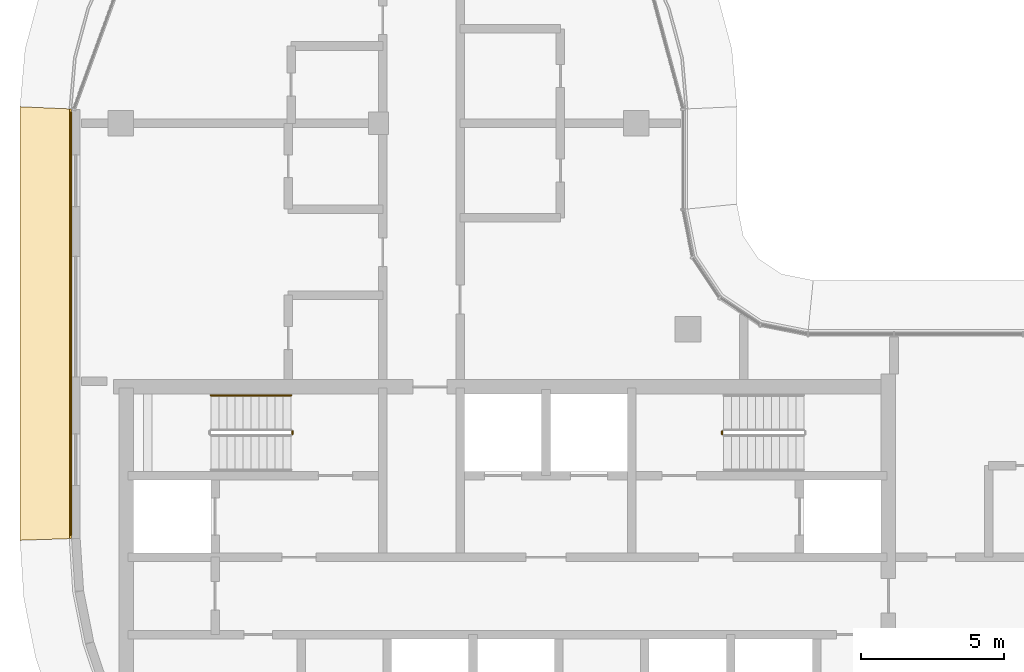
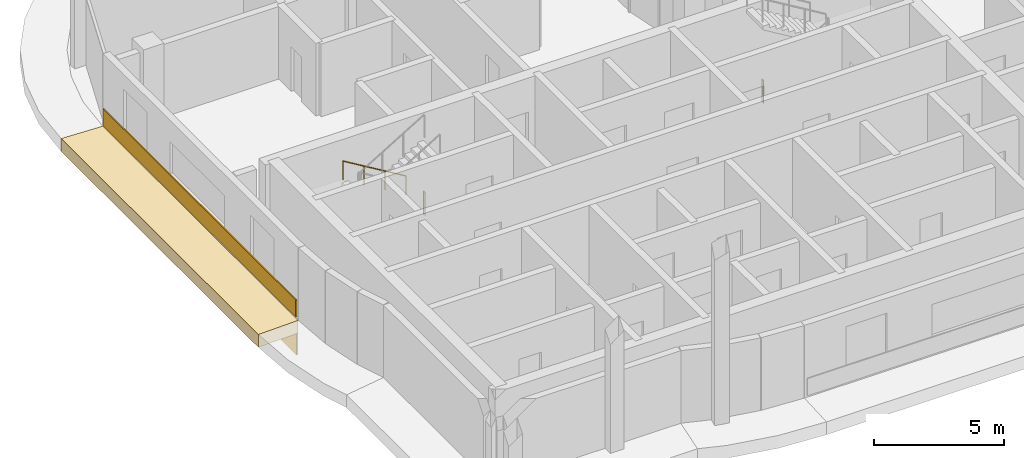
# One storey, part 16 of 20: 3 coverings, 3 railings.
"""IFC4 building model written with IfcOpenShell, lengths in metres."""

from ifc_helpers import new_model, si_unit, direction, frame, origin, origin_2d, place, context, subcontext, project, spatial, polyline, rectangle, circle, outline, extrude, material, layer, layer_set, type_object, element, save


model = new_model("IFC4")

# Units and contexts
model_context = context("Model", 3, precision=1e-05, world=origin(), true_north=direction((0.0, 1.0)))
body_context = subcontext(model_context, "Body", "Model", "MODEL_VIEW")
ifc_project = project(units=[si_unit("LENGTHUNIT", "METRE"), si_unit("AREAUNIT", "SQUARE_METRE"), si_unit("VOLUMEUNIT", "CUBIC_METRE"), si_unit("PLANEANGLEUNIT", "RADIAN"), si_unit("MASSUNIT", "GRAM", prefix="KILO")], contexts=[model_context])

# Site, building, storey
site_placement = place(None, origin())
site = spatial("IfcSite", under=ifc_project, at=site_placement, CompositionType="ELEMENT")
building_placement = place(site_placement, origin())
building = spatial("IfcBuilding", under=site, at=building_placement, Name="Ogive Portal Towers", CompositionType="ELEMENT")
storey_placement = place(building_placement, frame((0.0, 0.0, 195.800048828125)))
storey = spatial("IfcBuildingStorey", under=building, at=storey_placement, Name="L48", CompositionType="ELEMENT", Elevation=195.800048828125)

# Railings
ifc_material_1 = material(Name="Stainless steel balustrade", Category="steel")
railing_type_1 = type_object("IfcRailingType", Name="INT-GUARD", PredefinedType="GUARDRAIL", material=ifc_material_1)
railing_1_placement = place(storey_placement, frame((37.5, 37.75, 0.0)))
element("IfcRailing", 1, at=railing_1_placement, inside=storey, type_object=railing_type_1, Name="L48 ST-A1 stair guard 4", PredefinedType="GUARDRAIL", context=body_context, shape_type="SweptSolid", body=[
    extrude(circle(Radius=0.02392578125, at=origin_2d()), frame((0.0, 0.0, 1.076171875), z_axis=(0.0, -1.0, 0.0), x_axis=(1.0, 0.0, 0.0)), (0.0, 0.0, 1.0), 0.10009765625),
    extrude(circle(Radius=0.02099609375, at=origin_2d()), origin(), (0.0, 0.0, 1.0), 1.052001953125),
    extrude(circle(Radius=0.02099609375, at=origin_2d()), frame((0.0, -0.10009765625, 0.0)), (0.0, 0.0, 1.0), 1.052001953125),
])
railing_2_placement = place(storey_placement, frame((52.5, 37.64990234375, 0.0)))
element("IfcRailing", 2, at=railing_2_placement, inside=storey, type_object=railing_type_1, Name="L48 ST-A2 stair guard 4", PredefinedType="GUARDRAIL", context=body_context, shape_type="SweptSolid", body=[
    extrude(circle(Radius=0.02392578125, at=origin_2d()), frame((0.0, 0.0, 1.076171875), z_axis=(0.0, 1.0, 0.0), x_axis=(-1.0, 0.0, 0.0)), (0.0, 0.0, 1.0), 0.10009765625),
    extrude(circle(Radius=0.02099609375, at=origin_2d()), origin(), (0.0, 0.0, 1.0), 1.052001953125),
    extrude(circle(Radius=0.02099609375, at=origin_2d()), frame((0.0, 0.10009765625, 0.0)), (0.0, 0.0, 1.0), 1.052001953125),
])
ifc_material_2 = material(Name="Stainless steel handrail", Category="steel")
railing_type_2 = type_object("IfcRailingType", Name="INT-HANDRAIL", PredefinedType="HANDRAIL", material=ifc_material_2)
railing_3_placement = place(storey_placement, frame((37.449951171875, 39.0, 0.168212890625)))
element("IfcRailing", 3, at=railing_3_placement, inside=storey, type_object=railing_type_2, Name="L48 ST-A1 stair handrail 1", PredefinedType="HANDRAIL", context=body_context, shape_type="SweptSolid", body=[
    extrude(circle(Radius=0.02392578125, at=origin_2d()), frame((0.0, 0.0, 0.8759765625), z_axis=(-0.857275202839, 0.0, 0.514858452973), x_axis=(0.0, -1.0, 0.0)), (0.0, 0.0, 1.0), 3.26611328125),
    extrude(circle(Radius=0.02099609375, at=origin_2d()), origin(), (0.0, 0.0, 1.0), 0.851806640625),
    extrude(circle(Radius=0.02099609375, at=origin_2d()), frame((-0.933349609375, 0.0, 0.560546875)), (0.0, 0.0, 1.0), 0.851806640625),
    extrude(circle(Radius=0.02099609375, at=origin_2d()), frame((-1.86669921875, 0.0, 1.12109375)), (0.0, 0.0, 1.0), 0.851806640625),
    extrude(circle(Radius=0.02099609375, at=origin_2d()), frame((-2.800048828125, 0.0, 1.681640625)), (0.0, 0.0, 1.0), 0.851806640625),
])

# Coverings
ifc_material_3 = material(Name="Limestone cladding on lightweight block wall", Category="masonry")
ifc_layer_1 = layer(ifc_material_3, 0.050048828125)
ifc_layer_set_1 = layer_set([ifc_layer_1], Name="SCREEN PERFORATED STONE")
covering_type_1 = type_object("IfcCoveringType", Name="SCREEN PERFORATED STONE", PredefinedType="CLADDING", material=ifc_layer_set_1)
covering_1_placement = place(storey_placement, frame((29.760009765625, 41.497802734375, 0.10009765625), z_axis=(0.0, 0.0, 1.0), x_axis=(0.0, -1.0, 0.0)))
element("IfcCovering", 4, at=covering_1_placement, inside=storey, type_object=covering_type_1, Name="Tracery screen", PredefinedType="CLADDING", context=body_context, shape_type="SweptSolid", body=[
    extrude(rectangle(XDim=14.776123046875, YDim=0.050048828125, at=origin_2d()), origin(), (0.0, 0.0, 1.0), 0.800048828125),
])
ifc_layer_2 = layer(ifc_material_3, 0.080078125)
ifc_layer_set_2 = layer_set([ifc_layer_2], Name="STONE SPANDREL 80")
covering_type_2 = type_object("IfcCoveringType", Name="STONE SPANDREL 80", PredefinedType="CLADDING", material=ifc_layer_set_2)
covering_2_placement = place(storey_placement, frame((0.0, 0.0, -1.60009765625)))
element("IfcCovering", 5, at=covering_2_placement, inside=storey, type_object=covering_type_2, Name="Stone spandrel A1-F13", PredefinedType="CLADDING", context=body_context, shape_type="SweptSolid", body=[
    extrude(outline(polyline([(29.784912109375, 49.0), (29.784912109375, 34.0), (29.705078125, 33.997314453125), (29.705078125, 49.00341796875), (29.784912109375, 49.0)])), origin(), (0.0, 0.0, 1.0), 1.0),
])
ifc_layer_3 = layer(ifc_material_3, 0.60009765625)
ifc_layer_set_3 = layer_set([ifc_layer_3], Name="SUNSHADE LIP 600")
covering_type_3 = type_object("IfcCoveringType", Name="SUNSHADE LIP 600", PredefinedType="CLADDING", material=ifc_layer_set_3)
covering_3_placement = place(storey_placement, frame((0.0, 0.0, -0.60009765625)))
element("IfcCovering", 6, at=covering_3_placement, inside=storey, type_object=covering_type_3, Name="Sunshade lip A1-F13", PredefinedType="CLADDING", context=body_context, shape_type="SweptSolid", body=[
    extrude(outline(polyline([(29.784912109375, 49.0), (29.784912109375, 34.0), (27.985107421875, 33.941162109375), (27.985107421875, 49.07861328125), (29.784912109375, 49.0)])), origin(), (0.0, 0.0, 1.0), 0.60009765625),
])

save(model, "model.ifc")
